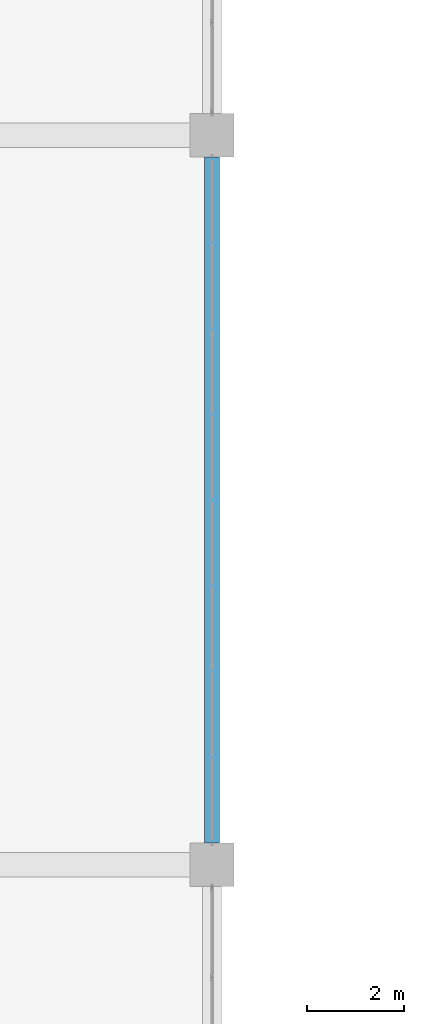
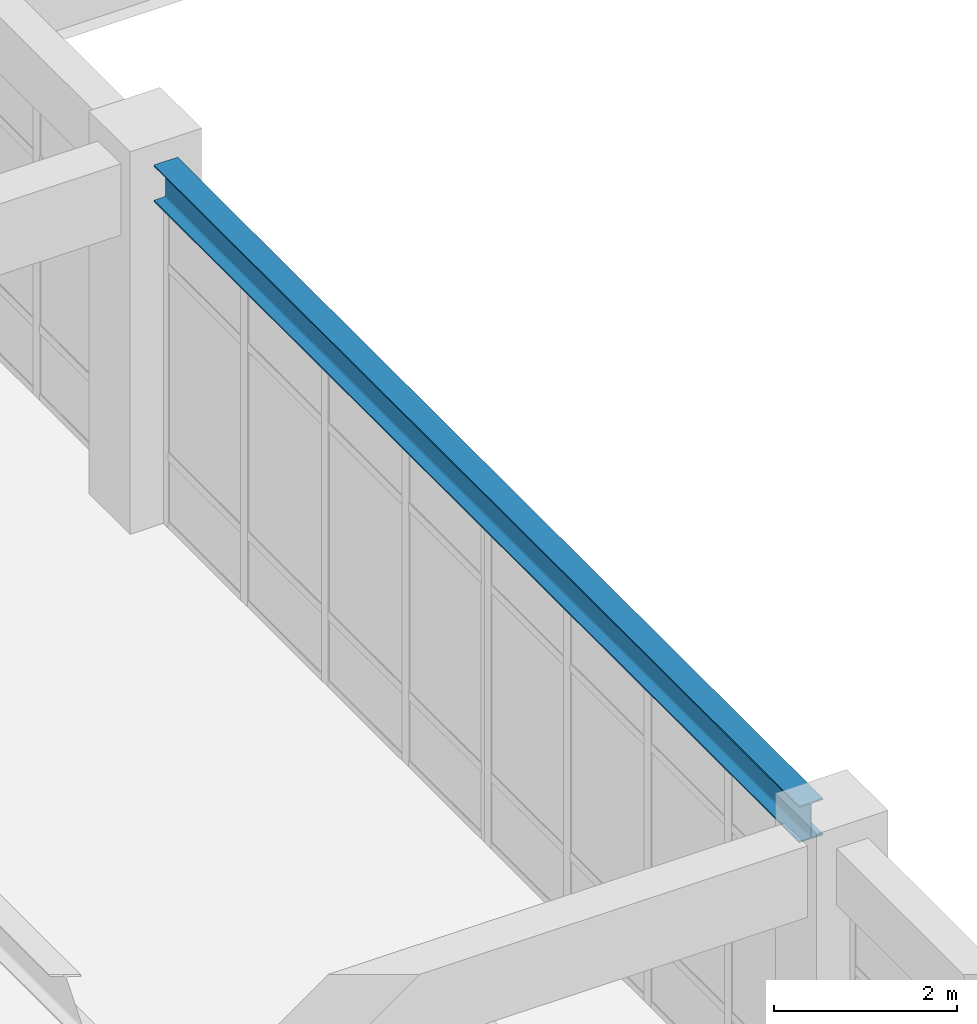
# One storey, part 73 of 120: 1 beam.
"""IFC4 building model written with IfcOpenShell, lengths in metres."""

from ifc_helpers import new_model, si_unit, derived_unit, direction, frame, origin, origin_2d, place, context, subcontext, project, spatial, i_section, extrude, material, material_profile, profile_set, type_object, element, save


model = new_model("IFC4")

# Units and contexts
model_context = context("Model", 3, precision=1e-05, world=origin(), true_north=direction((0.0, 1.0)))
body_context = subcontext(model_context, "Body", "Model", "MODEL_VIEW")
ifc_project = project(units=[si_unit("LENGTHUNIT", "METRE"), si_unit("AREAUNIT", "SQUARE_METRE"), si_unit("VOLUMEUNIT", "CUBIC_METRE"), si_unit("PLANEANGLEUNIT", "RADIAN"), si_unit("MASSUNIT", "GRAM", prefix="KILO"), derived_unit("THERMALTRANSMITTANCEUNIT", [(si_unit("MASSUNIT", "GRAM", prefix="KILO"), 1), (si_unit("TIMEUNIT", "SECOND"), -3), (si_unit("THERMODYNAMICTEMPERATUREUNIT", "KELVIN"), -1)])], contexts=[model_context])

# Site, building, storey
site_placement = place(None, origin())
site = spatial("IfcSite", under=ifc_project, at=site_placement, CompositionType="ELEMENT")
building_placement = place(site_placement, origin())
building = spatial("IfcBuilding", under=site, at=building_placement, Name="Qinzheling Arcade Emporium", CompositionType="ELEMENT")
storey_placement = place(building_placement, frame((0.0, 0.0, 11.39990234375)))
storey = spatial("IfcBuildingStorey", under=building, at=storey_placement, Name="L03", CompositionType="ELEMENT", Elevation=11.39990234375)

# Beam
ifc_material = material(Name="Structural steel Q355B", Category="steel")
ifc_material_profile = material_profile(ifc_material, i_section(OverallWidth=0.300048828125, OverallDepth=0.488037109375, WebThickness=0.010986328125, FlangeThickness=0.01806640625, FilletRadius=0.02197265625, at=origin_2d()), Name="HM 488x300x11x18", Category="steel")
ifc_profile_set = profile_set([ifc_material_profile], Name="Structural steel Q355B")
beam_type = type_object("IfcBeamType", Name="Atrium Bridge Girder HM488 Q355B", PredefinedType="USERDEFINED", material=ifc_profile_set)
beam_placement = place(storey_placement, frame((130.5, 50.85009765625, 4.576171875), z_axis=(0.0, 1.0, 0.0), x_axis=(-1.0, 0.0, 0.0)))
element("IfcBeam", 1, at=beam_placement, inside=storey, type_object=beam_type, Name="Beam BM-L03-Y-16-G", ObjectType="TRANSFER_GIRDER", PredefinedType="USERDEFINED", context=body_context, shape_type="SweptSolid", body=[
    extrude(i_section(OverallWidth=0.300048828125, OverallDepth=0.488037109375, WebThickness=0.010986328125, FlangeThickness=0.01806640625, FilletRadius=0.02197265625, at=origin_2d()), origin(), (0.0, 0.0, 1.0), 14.099853515625),
])

save(model, "model.ifc")
